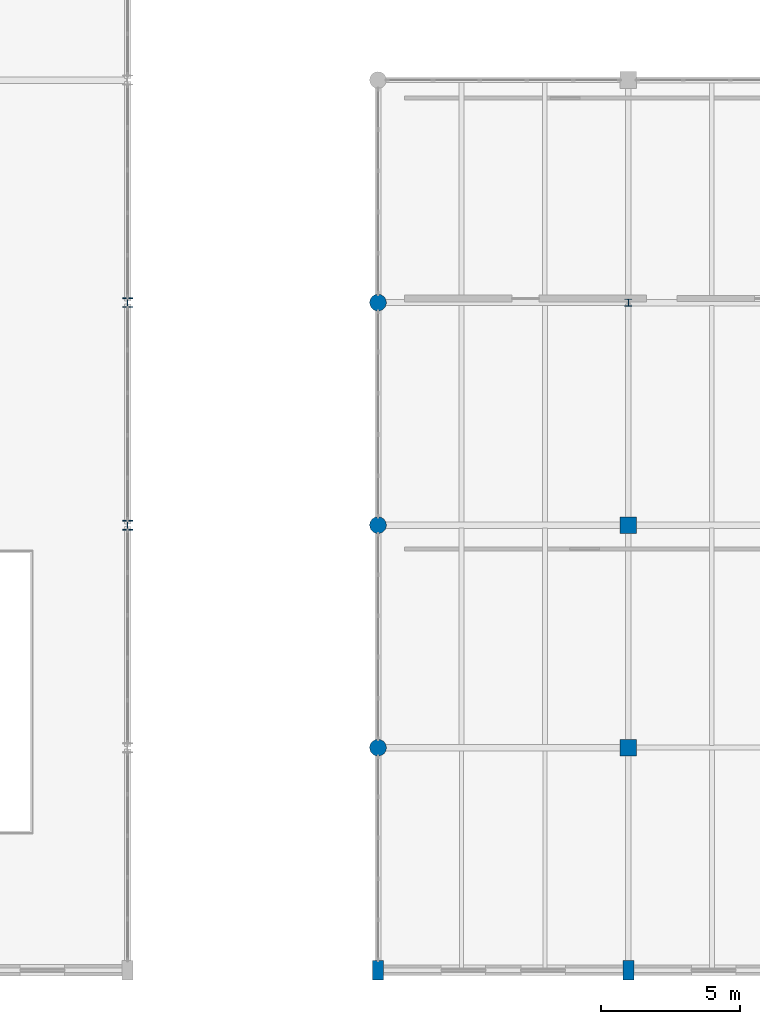
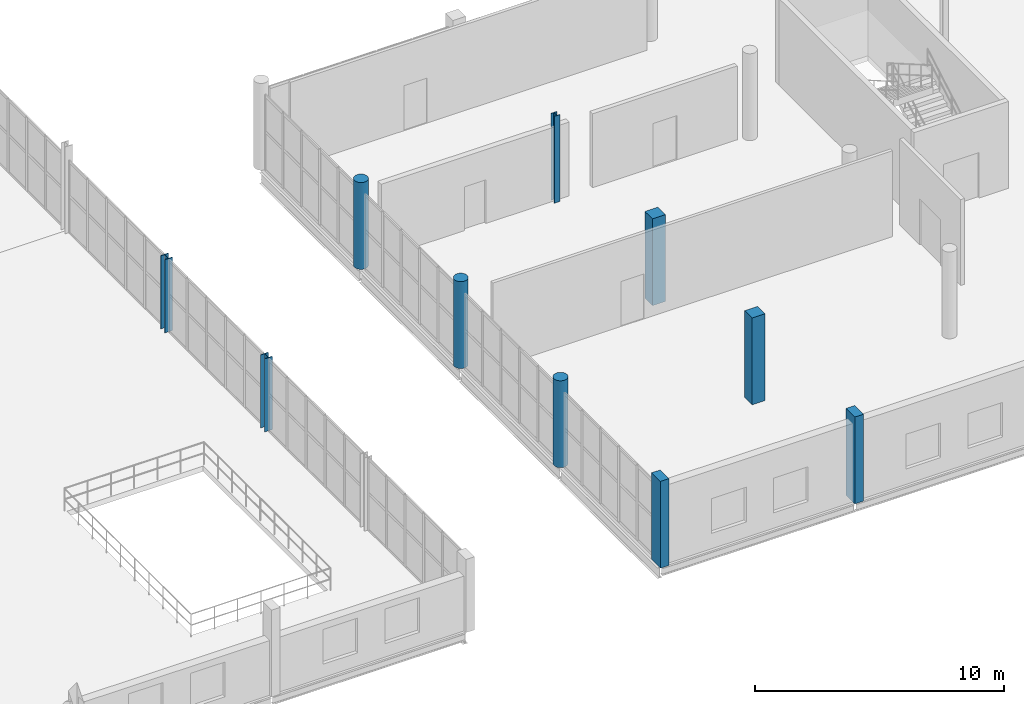
# One storey, part 6 of 73: 10 columns.
"""IFC4 building model written with IfcOpenShell, lengths in metres."""

from ifc_helpers import new_model, si_unit, direction, frame, origin, origin_2d, place, context, subcontext, project, spatial, rectangle, circle, i_section, extrude, material, material_profile, profile_set, type_object, element, save


model = new_model("IFC4")

# Units and contexts
model_context = context("Model", 3, precision=1e-05, world=origin(), true_north=direction((0.0, 1.0)))
body_context = subcontext(model_context, "Body", "Model", "MODEL_VIEW")
ifc_project = project(units=[si_unit("LENGTHUNIT", "METRE"), si_unit("AREAUNIT", "SQUARE_METRE"), si_unit("VOLUMEUNIT", "CUBIC_METRE"), si_unit("PLANEANGLEUNIT", "RADIAN"), si_unit("MASSUNIT", "GRAM", prefix="KILO")], contexts=[model_context])

# Site, building, storey
site_placement = place(None, origin())
site = spatial("IfcSite", under=ifc_project, at=site_placement, CompositionType="ELEMENT")
building_placement = place(site_placement, origin())
building = spatial("IfcBuilding", under=site, at=building_placement, Name="Marnock Terrace Opera House", CompositionType="ELEMENT")
storey_placement = place(building_placement, frame((0.0, 0.0, 14.699951171875)))
storey = spatial("IfcBuildingStorey", under=building, at=storey_placement, Name="L03", CompositionType="ELEMENT", Elevation=14.699951171875)

# Columns
ifc_material_1 = material(Name="Concrete N40 (f'c = 40 MPa)", Category="concrete")
ifc_material_profile_1 = material_profile(ifc_material_1, circle(Radius=0.300048828125, at=origin_2d()))
ifc_profile_set_1 = profile_set([ifc_material_profile_1], Name="Concrete N40 (f'c = 40 MPa)")
column_type_1 = type_object("IfcColumnType", Name="COL-LOGGIA-600", PredefinedType="COLUMN", material=ifc_profile_set_1)
for number, where, z_axis, x_axis, name in (
    (1, (118.0, 16.0, 0.0), (0.0, 0.0, 1.0), (1.0, 0.0, 0.0), "L03 column at (118.0, 16.0)"),
    (2, (118.0, 24.0, 0.0), (0.0, 0.0, 1.0), (1.0, 0.0, 0.0), "L03 column at (118.0, 24.0)"),
    (3, (118.0, 32.0, 0.0), (0.0, 0.0, 1.0), (1.0, 0.0, 0.0), "L03 column at (118.0, 32.0)"),
):
    element("IfcColumn", number, at=place(storey_placement, frame(where, z_axis=z_axis, x_axis=x_axis)), inside=storey, type_object=column_type_1, Name=name, PredefinedType="COLUMN", context=body_context, shape_type="SweptSolid", body=[
        extrude(circle(Radius=0.300048828125, at=origin_2d()), origin(), (0.0, 0.0, 1.0), 4.25),
    ])
ifc_material_profile_2 = material_profile(ifc_material_1, rectangle(XDim=0.39990234375, YDim=0.699951171875, at=origin_2d()))
ifc_profile_set_2 = profile_set([ifc_material_profile_2], Name="Concrete N40 (f'c = 40 MPa)")
column_type_2 = type_object("IfcColumnType", Name="COL-PIL-700", PredefinedType="PILASTER", material=ifc_profile_set_2)
for number, where, z_axis, x_axis, name in (
    (4, (118.0, 8.0, 0.0), (0.0, 0.0, 1.0), (1.0, 0.0, 0.0), "L03 column at (118.0, 8.0)"),
    (5, (127.0, 8.0, 0.0), (0.0, 0.0, 1.0), (1.0, 0.0, 0.0), "L03 column at (127.0, 8.0)"),
):
    element("IfcColumn", number, at=place(storey_placement, frame(where, z_axis=z_axis, x_axis=x_axis)), inside=storey, type_object=column_type_2, Name=name, PredefinedType="PILASTER", context=body_context, shape_type="SweptSolid", body=[
        extrude(rectangle(XDim=0.39990234375, YDim=0.699951171875, at=origin_2d()), origin(), (0.0, 0.0, 1.0), 4.25),
    ])
ifc_material_profile_3 = material_profile(ifc_material_1, rectangle(XDim=0.60009765625, YDim=0.60009765625, at=origin_2d()))
ifc_profile_set_3 = profile_set([ifc_material_profile_3], Name="Concrete N40 (f'c = 40 MPa)")
column_type_3 = type_object("IfcColumnType", Name="COL-RC600", PredefinedType="COLUMN", material=ifc_profile_set_3)
for number, where, z_axis, x_axis, name in (
    (6, (127.0, 16.0, 0.0), (0.0, 0.0, 1.0), (1.0, 0.0, 0.0), "L03 column at (127.0, 16.0)"),
    (7, (127.0, 24.0, 0.0), (0.0, 0.0, 1.0), (1.0, 0.0, 0.0), "L03 column at (127.0, 24.0)"),
):
    element("IfcColumn", number, at=place(storey_placement, frame(where, z_axis=z_axis, x_axis=x_axis)), inside=storey, type_object=column_type_3, Name=name, PredefinedType="COLUMN", context=body_context, shape_type="SweptSolid", body=[
        extrude(rectangle(XDim=0.60009765625, YDim=0.60009765625, at=origin_2d()), origin(), (0.0, 0.0, 1.0), 4.25),
    ])
ifc_material_2 = material(Name="Steel Grade 350 (AS/NZS 3679.1)", Category="steel")
ifc_material_profile_4 = material_profile(ifc_material_2, i_section(OverallWidth=0.256103515625, OverallDepth=0.260009765625, WebThickness=0.010498046875, FlangeThickness=0.017333984375, FilletRadius=0.013916015625, at=origin_2d()))
ifc_profile_set_4 = profile_set([ifc_material_profile_4], Name="Steel Grade 350 (AS/NZS 3679.1)")
column_type_4 = type_object("IfcColumnType", Name="COL-UC250", PredefinedType="COLUMN", material=ifc_profile_set_4)
column_placement = place(storey_placement, frame((127.0, 32.0, 0.0), z_axis=(0.0, 0.0, 1.0), x_axis=(1.0, 0.0, 0.0)))
element("IfcColumn", 8, at=column_placement, inside=storey, type_object=column_type_4, Name="L03 column at (127.0, 32.0)", PredefinedType="COLUMN", context=body_context, shape_type="SweptSolid", body=[
    extrude(i_section(OverallWidth=0.256103515625, OverallDepth=0.260009765625, WebThickness=0.010498046875, FlangeThickness=0.017333984375, FilletRadius=0.013916015625, at=origin_2d()), origin(), (0.0, 0.0, 1.0), 4.25),
])
ifc_material_3 = material(Name="Steel Grade 350 Welded (AS/NZS 3679.2)", Category="steel")
ifc_material_profile_5 = material_profile(ifc_material_3, i_section(OverallWidth=0.35009765625, OverallDepth=0.35009765625, WebThickness=0.01611328125, FlangeThickness=0.028076171875, at=origin_2d()))
ifc_profile_set_5 = profile_set([ifc_material_profile_5], Name="Steel Grade 350 Welded (AS/NZS 3679.2)")
column_type_5 = type_object("IfcColumnType", Name="COL-WC350", PredefinedType="COLUMN", material=ifc_profile_set_5)
for number, where, z_axis, x_axis, name in (
    (9, (109.0, 24.0, 0.0), (0.0, 0.0, 1.0), (1.0, 0.0, 0.0), "L03 column at (109.0, 24.0)"),
    (10, (109.0, 32.0, 0.0), (0.0, 0.0, 1.0), (1.0, 0.0, 0.0), "L03 column at (109.0, 32.0)"),
):
    element("IfcColumn", number, at=place(storey_placement, frame(where, z_axis=z_axis, x_axis=x_axis)), inside=storey, type_object=column_type_5, Name=name, PredefinedType="COLUMN", context=body_context, shape_type="SweptSolid", body=[
        extrude(i_section(OverallWidth=0.35009765625, OverallDepth=0.35009765625, WebThickness=0.01611328125, FlangeThickness=0.028076171875, at=origin_2d()), origin(), (0.0, 0.0, 1.0), 3.580078125),
    ])

save(model, "model.ifc")
